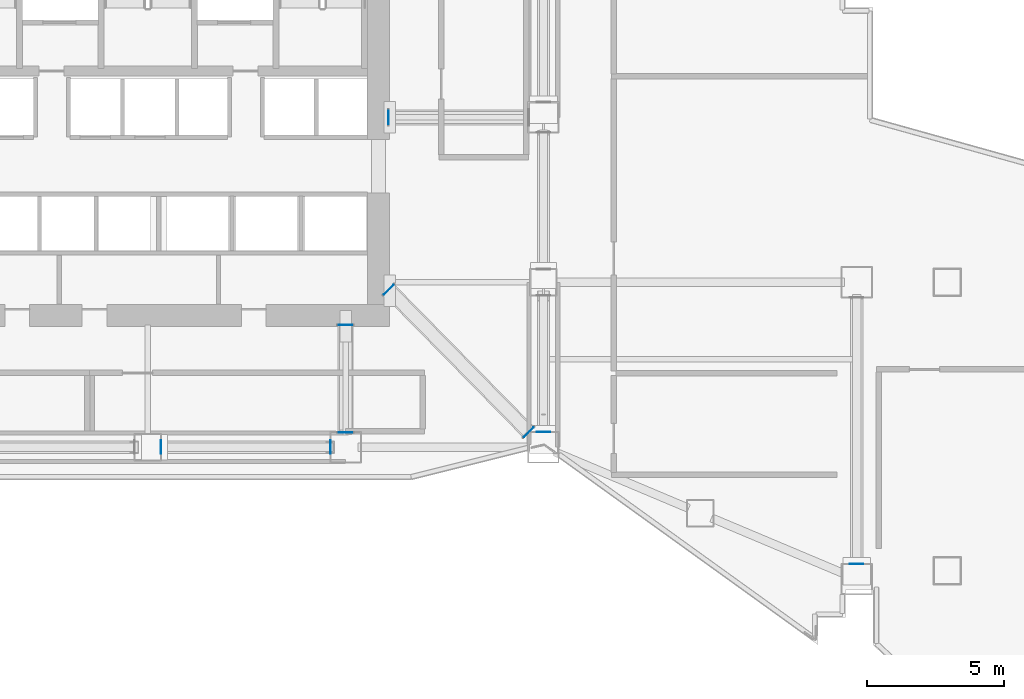
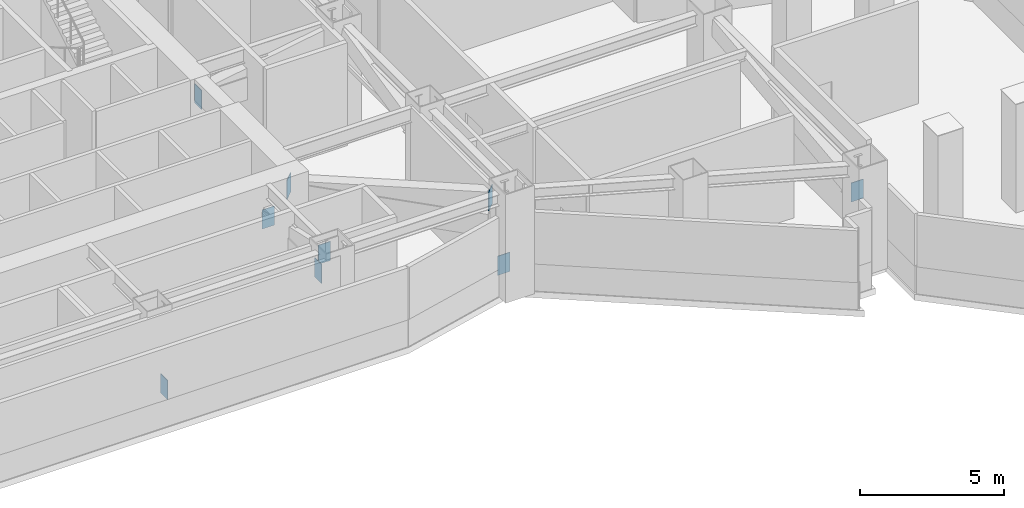
# One storey, part 9 of 23: 9 plates.
"""IFC4 building model written with IfcOpenShell, lengths in metres."""

from ifc_helpers import new_model, si_unit, direction, frame, origin, origin_2d, place, context, subcontext, project, spatial, rectangle, extrude, material, layer, layer_set, type_object, element, save


model = new_model("IFC4")

# Units and contexts
model_context = context("Model", 3, precision=1e-05, world=origin(), true_north=direction((0.0, 1.0)))
body_context = subcontext(model_context, "Body", "Model", "MODEL_VIEW")
ifc_project = project(units=[si_unit("LENGTHUNIT", "METRE"), si_unit("AREAUNIT", "SQUARE_METRE"), si_unit("VOLUMEUNIT", "CUBIC_METRE"), si_unit("PLANEANGLEUNIT", "RADIAN"), si_unit("MASSUNIT", "GRAM", prefix="KILO")], contexts=[model_context])

# Site, building, storey
site_placement = place(None, origin())
site = spatial("IfcSite", under=ifc_project, at=site_placement, CompositionType="ELEMENT")
building_placement = place(site_placement, origin())
building = spatial("IfcBuilding", under=site, at=building_placement, Name="Haolan Belvedere Tower", CompositionType="ELEMENT")
storey_placement = place(building_placement, frame((0.0, 0.0, 89.39990234375)))
storey = spatial("IfcBuildingStorey", under=building, at=storey_placement, Name="L22", CompositionType="ELEMENT", Elevation=89.39990234375)

# Plates
ifc_material = material(Name="Steel Q355B", Category="steel")
ifc_layer = layer(ifc_material, 0.02490234375, Name="Steel Q355B")
ifc_layer_set = layer_set([ifc_layer], Name="Steel Q355B")
plate_type = type_object("IfcPlateType", Name="PL-CAP-25", PredefinedType="SHEET", material=ifc_layer_set)
for number, where, z_axis, x_axis, name in (
    (1, (47.15771484375, 33.60009765625, 2.512939453125), (0.0, 0.0, 1.0), (0.0, -1.0, 0.0), "Hollow steel end-cap plate OR-E1-L22-DG-CAP0"),
    (2, (47.17041015625, 27.330322265625, 2.513671875), (0.0, 0.0, 1.0), (-0.713336076052, -0.700822119088, 0.0), "Hollow steel end-cap plate OR-E2-L22-DG-CAP0"),
    (3, (52.264892578125, 22.144775390625, 3.386474609375), (0.0, 0.0, 1.0), (0.713336076052, 0.700822119088, 0.0), "Hollow steel end-cap plate OR-E2-L22-DG-CAP1"),
    (4, (45.60009765625, 26.042236328125, 2.512451171875), (0.0, 0.0, 1.0), (-1.0, 0.0, 0.0), "Hollow steel end-cap plate OR-S2-L22-DG-CAP0"),
    (5, (45.60009765625, 22.1328125, 3.3876953125), (0.0, 0.0, 1.0), (1.0, 0.0, 0.0), "Hollow steel end-cap plate OR-S2-L22-DG-CAP1"),
    (6, (52.800048828125, 22.154052734375, 0.388916015625), (0.0, 0.0, 1.0), (1.0, 0.0, 0.0), "Hollow steel end-cap plate BT-E1-L22-CAP0"),
    (7, (38.878662109375, 21.60009765625, 0.389892578125), (0.0, 0.0, 1.0), (0.0, -1.0, 0.0), "Hollow steel end-cap plate BT-S2-L22-CAP0"),
    (8, (45.04638671875, 21.60009765625, 3.150146484375), (0.0, 0.0, 1.0), (0.0, 1.0, 0.0), "Hollow steel end-cap plate BT-S2-L22-CAP1"),
    (9, (64.199951171875, 17.3525390625, 2.41357421875), (0.0, 0.0, 1.0), (1.0, 0.0, 0.0), "Hollow steel end-cap plate BT-T4-L22-CAP0"),
):
    element("IfcPlate", number, at=place(storey_placement, frame(where, z_axis=z_axis, x_axis=x_axis)), inside=storey, type_object=plate_type, Name=name, PredefinedType="SHEET", context=body_context, shape_type="SweptSolid", body=[
        extrude(rectangle(XDim=0.489990234375, YDim=0.02490234375, at=origin_2d()), origin(), (0.0, 0.0, 1.0), 0.81005859375),
    ])

save(model, "model.ifc")
